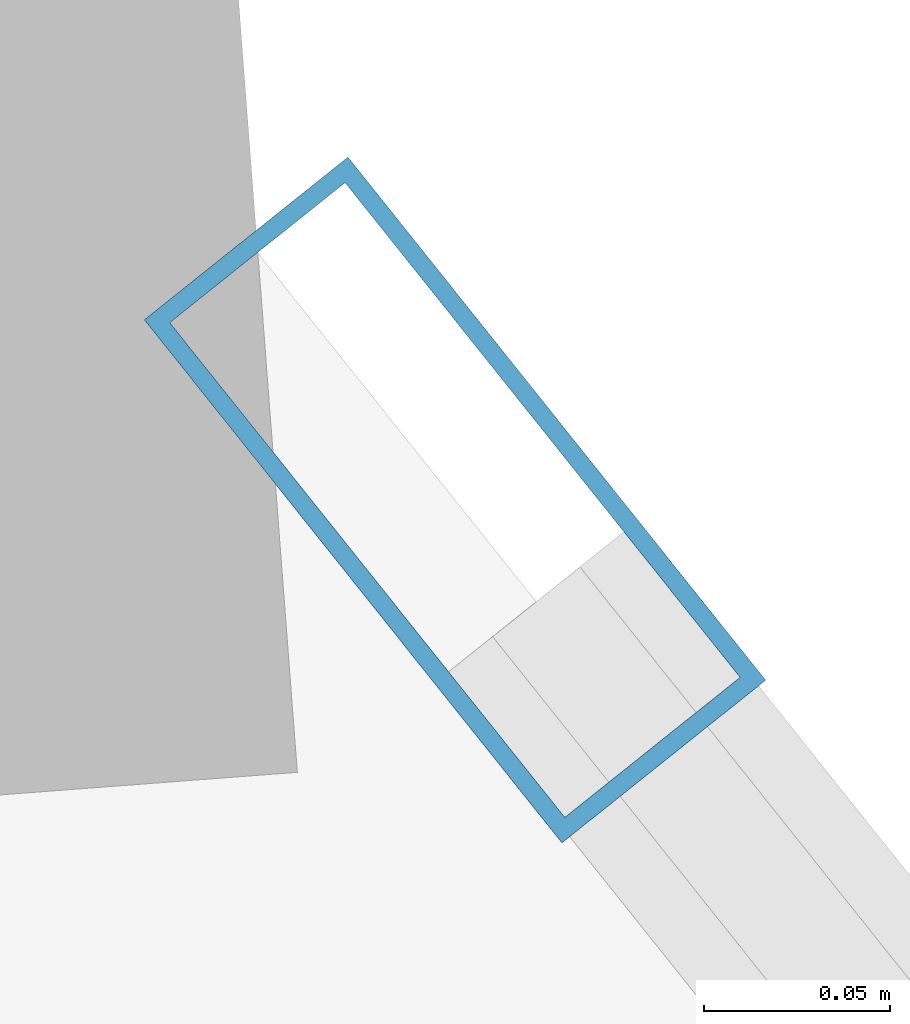
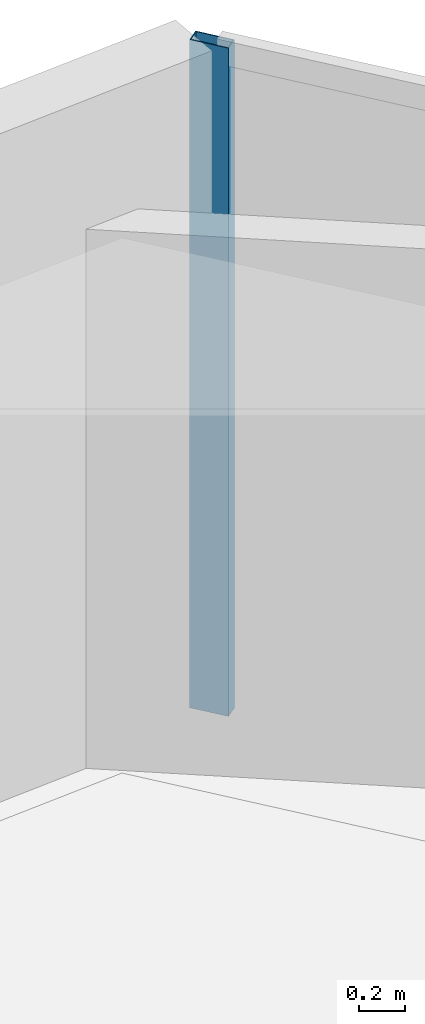
# One storey, part 15 of 23: 1 member, 1 element without a shape of its own.
"""IFC4 building model written with IfcOpenShell, lengths in metres."""

from ifc_helpers import new_model, si_unit, direction, frame, origin, origin_2d, place, context, subcontext, project, spatial, hollow_rectangle, extrude, material, layer, layer_set, material_profile, profile_set, type_object, element, aggregate, save


model = new_model("IFC4")

# Units and contexts
model_context = context("Model", 3, precision=1e-05, world=origin(), true_north=direction((0.0, 1.0)))
body_context = subcontext(model_context, "Body", "Model", "MODEL_VIEW")
ifc_project = project(units=[si_unit("LENGTHUNIT", "METRE"), si_unit("AREAUNIT", "SQUARE_METRE"), si_unit("VOLUMEUNIT", "CUBIC_METRE"), si_unit("PLANEANGLEUNIT", "RADIAN"), si_unit("MASSUNIT", "GRAM", prefix="KILO")], contexts=[model_context])

# Site, building, storey
site_placement = place(None, origin())
site = spatial("IfcSite", under=ifc_project, at=site_placement, CompositionType="ELEMENT")
building_placement = place(site_placement, origin())
building = spatial("IfcBuilding", under=site, at=building_placement, Name="Qianvela Tower", CompositionType="ELEMENT")
storey_placement = place(building_placement, frame((0.0, 0.0, 36.800048828125)))
storey = spatial("IfcBuildingStorey", under=building, at=storey_placement, Name="L08", CompositionType="ELEMENT", Elevation=36.800048828125)

# Curtain wall, member
ifc_material_1 = material(Name="Anodised Architectural Aluminium and Low-E Glass", Category="aluminium")
ifc_layer = layer(ifc_material_1, 0.179931640625)
ifc_layer_set = layer_set([ifc_layer], Name="Anodised Architectural Aluminium and Low-E Glass")
curtain_wall_type = type_object("IfcCurtainWallType", Name="CW-COLIV-Z12", PredefinedType="USERDEFINED", material=ifc_layer_set)
curtain_wall_placement = place(storey_placement, origin())
curtain_wall = element("IfcCurtainWall", 1, at=curtain_wall_placement, inside=storey, type_object=curtain_wall_type, Name="L08 CW-COLIV-Z12 Curtain Wall 02C", ObjectType="CURTAIN_WALL_SYSTEM", PredefinedType="USERDEFINED")
ifc_material_2 = material(Name="Anodised Architectural Aluminium 6063-T6", Category="aluminium")
ifc_material_profile = material_profile(ifc_material_2, hollow_rectangle(XDim=0.070068359375, YDim=0.179931640625, WallThickness=0.0048828125, at=origin_2d()), Name="ALU-MULL-70x180")
ifc_profile_set = profile_set([ifc_material_profile], Name="Anodised Architectural Aluminium 6063-T6")
member_type = type_object("IfcMemberType", Name="CW-COLIV-Z12-MULL", PredefinedType="MULLION", material=ifc_profile_set)
member_placement = place(storey_placement, frame((40.200439453125, 44.3466796875, 0.0), z_axis=(0.0, 0.0, 1.0), x_axis=(-0.781444361962, -0.623974926706, 0.0)))
member = element("IfcMember", 2, at=member_placement, type_object=member_type, Name="CW-3 mullion 2", PredefinedType="MULLION", context=body_context, shape_type="SweptSolid", body=[
    extrude(hollow_rectangle(XDim=0.070068359375, YDim=0.179931640625, WallThickness=0.0048828125, at=origin_2d()), origin(), (0.0, 0.0, 1.0), 3.52001953125),
])
aggregate(curtain_wall, [member])

save(model, "model.ifc")
